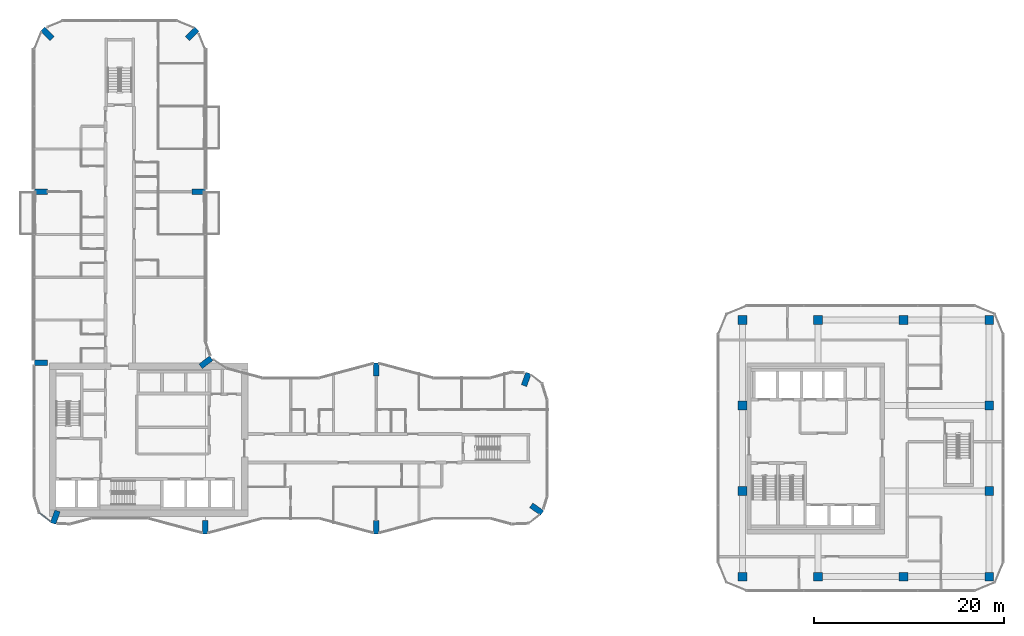
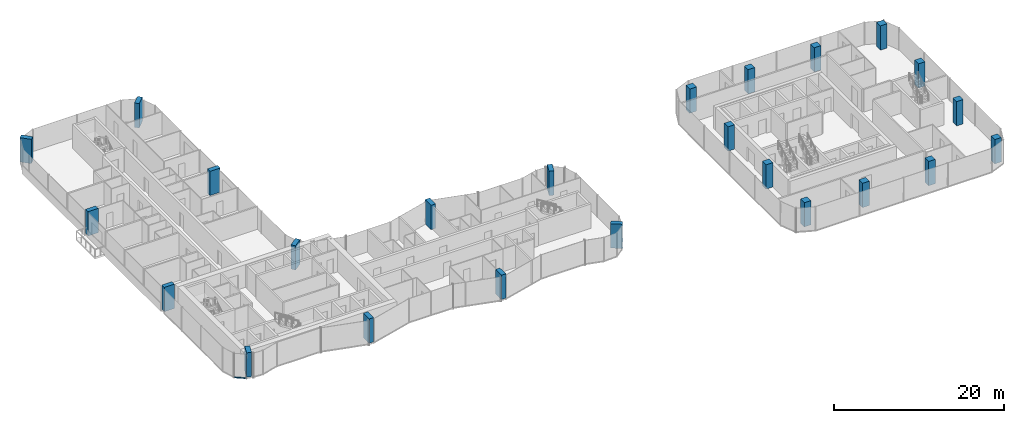
# One storey, part 1 of 22: 24 columns, 1 member, 1 element without a shape of its own.
"""IFC4 building model written with IfcOpenShell, lengths in metres."""

from ifc_helpers import new_model, si_unit, direction, frame, origin, origin_2d, place, context, subcontext, project, spatial, rectangle, extrude, material, layer, layer_set, material_profile, profile_set, type_object, element, aggregate, save


model = new_model("IFC4")

# Units and contexts
model_context = context("Model", 3, precision=1e-05, world=origin(), true_north=direction((0.0, 1.0)))
body_context = subcontext(model_context, "Body", "Model", "MODEL_VIEW")
ifc_project = project(units=[si_unit("LENGTHUNIT", "METRE"), si_unit("AREAUNIT", "SQUARE_METRE"), si_unit("VOLUMEUNIT", "CUBIC_METRE"), si_unit("PLANEANGLEUNIT", "RADIAN"), si_unit("MASSUNIT", "GRAM", prefix="KILO")], contexts=[model_context])

# Site, building, storey
site_placement = place(None, origin())
site = spatial("IfcSite", under=ifc_project, at=site_placement, CompositionType="ELEMENT")
building_placement = place(site_placement, origin())
building = spatial("IfcBuilding", under=site, at=building_placement, Name="Plateau Cross Towers", CompositionType="ELEMENT")
storey_placement = place(building_placement, frame((0.0, 0.0, 65.300048828125)))
storey = spatial("IfcBuildingStorey", under=building, at=storey_placement, Name="L16", CompositionType="ELEMENT", Elevation=65.300048828125)

# Columns
ifc_material_1 = material(Name="Concrete C60/75", Category="concrete")
ifc_material_profile_1 = material_profile(ifc_material_1, rectangle(XDim=0.60009765625, YDim=1.39990234375, at=origin_2d()), Name="RC 600x1400")
ifc_profile_set_1 = profile_set([ifc_material_profile_1], Name="Concrete C60/75")
column_type_1 = type_object("IfcColumnType", Name="Fin pier column RC 600x1400", PredefinedType="COLUMN", material=ifc_profile_set_1)
for number, where, z_axis, x_axis, name in (
    (1, (18.0, 0.699951171875, 0.0), (0.0, 0.0, 1.0), (1.0, 0.0, 0.0), "PR1 L16"),
    (2, (36.0, 0.699951171875, 0.0), (0.0, 0.0, 1.0), (1.0, 0.0, 0.0), "PR2 L16"),
    (3, (52.884033203125, 2.590087890625, 0.0), (0.0, 0.0, 1.0), (0.573542637991, 0.819175709117, 0.0), "PR3 L16"),
    (4, (51.786865234375, 16.251953125, 0.0), (0.0, 0.0, 1.0), (-0.939664280925, 0.342097996418, 0.0), "PR4 L16"),
    (5, (36.0, 17.300048828125, 0.0), (0.0, 0.0, 1.0), (1.0, 0.0, 0.0), "PR5 L16"),
    (6, (18.064697265625, 18.049560546875, 0.0), (0.0, 0.0, 1.0), (-0.608810846443, 0.793315418515, 0.0), "PR6 L16"),
    (7, (17.300048828125, 36.0, 0.0), (0.0, 0.0, 1.0), (0.0, 1.0, 0.0), "PR7 L16"),
    (8, (16.62646484375, 52.62646484375, 0.0), (0.0, 0.0, 1.0), (-0.707106781187, 0.707106781187, 0.0), "PR8 L16"),
    (9, (1.37353515625, 52.62646484375, 0.0), (0.0, 0.0, 1.0), (0.707106781187, 0.707106781187, 0.0), "PR9 L16"),
    (10, (0.699951171875, 36.0, 0.0), (0.0, 0.0, 1.0), (0.0, 1.0, 0.0), "PR10 L16"),
    (11, (0.699951171875, 18.0, 0.0), (0.0, 0.0, 1.0), (0.0, 1.0, 0.0), "PR11 L16"),
    (12, (2.213134765625, 1.748046875, 0.0), (0.0, 0.0, 1.0), (-0.939664280925, 0.342097996418, 0.0), "PR12 L16"),
):
    element("IfcColumn", number, at=place(storey_placement, frame(where, z_axis=z_axis, x_axis=x_axis)), inside=storey, type_object=column_type_1, Name=name, PredefinedType="COLUMN", context=body_context, shape_type="SweptSolid", body=[
        extrude(rectangle(XDim=0.60009765625, YDim=1.39990234375, at=origin_2d()), origin(), (0.0, 0.0, 1.0), 3.5),
    ])
ifc_material_profile_2 = material_profile(ifc_material_1, rectangle(XDim=0.89990234375, YDim=0.89990234375, at=origin_2d()), Name="RC 900x900")
ifc_profile_set_2 = profile_set([ifc_material_profile_2], Name="Concrete C60/75")
column_type_2 = type_object("IfcColumnType", Name="Office column RC 900x900", PredefinedType="COLUMN", material=ifc_profile_set_2)
for number, where, z_axis, x_axis, name in (
    (13, (74.550048828125, -4.5, 0.0), (0.0, 0.0, 1.0), (1.0, 0.0, 0.0), "B-C746_-45 L16"),
    (14, (82.5, -4.5, 0.0), (0.0, 0.0, 1.0), (1.0, 0.0, 0.0), "B-C825_-45 L16"),
    (15, (91.5, -4.5, 0.0), (0.0, 0.0, 1.0), (1.0, 0.0, 0.0), "B-C915_-45 L16"),
    (16, (100.5, -4.5, 0.0), (0.0, 0.0, 1.0), (1.0, 0.0, 0.0), "B-C1005_-45 L16"),
    (17, (100.5, 4.5, 0.0), (0.0, 0.0, 1.0), (1.0, 0.0, 0.0), "B-C1005_45 L16"),
    (18, (100.5, 13.5, 0.0), (0.0, 0.0, 1.0), (1.0, 0.0, 0.0), "B-C1005_135 L16"),
    (19, (100.5, 22.5, 0.0), (0.0, 0.0, 1.0), (1.0, 0.0, 0.0), "B-C1005_225 L16"),
    (20, (91.5, 22.5, 0.0), (0.0, 0.0, 1.0), (1.0, 0.0, 0.0), "B-C915_225 L16"),
    (21, (82.5, 22.5, 0.0), (0.0, 0.0, 1.0), (1.0, 0.0, 0.0), "B-C825_225 L16"),
    (22, (74.550048828125, 22.5, 0.0), (0.0, 0.0, 1.0), (1.0, 0.0, 0.0), "B-C746_225 L16"),
    (23, (74.550048828125, 13.5, 0.0), (0.0, 0.0, 1.0), (1.0, 0.0, 0.0), "B-C746_135 L16"),
    (24, (74.550048828125, 4.5, 0.0), (0.0, 0.0, 1.0), (1.0, 0.0, 0.0), "B-C746_45 L16"),
):
    element("IfcColumn", number, at=place(storey_placement, frame(where, z_axis=z_axis, x_axis=x_axis)), inside=storey, type_object=column_type_2, Name=name, PredefinedType="COLUMN", context=body_context, shape_type="SweptSolid", body=[
        extrude(rectangle(XDim=0.89990234375, YDim=0.89990234375, at=origin_2d()), origin(), (0.0, 0.0, 1.0), 3.5),
    ])

# Curtain wall, member
ifc_material_2 = material(Name="Dark low-iron glass", Category="glass")
ifc_layer = layer(ifc_material_2, 0.239990234375)
ifc_layer_set = layer_set([ifc_layer], Name="Dark low-iron glass")
curtain_wall_type = type_object("IfcCurtainWallType", Name="Curtain wall flush unitised CW-B", PredefinedType="NOTDEFINED", material=ifc_layer_set)
curtain_wall_placement = place(storey_placement, origin())
curtain_wall = element("IfcCurtainWall", 25, at=curtain_wall_placement, inside=storey, type_object=curtain_wall_type, Name="ENV/A/L16/A5_22", PredefinedType="NOTDEFINED")
ifc_material_3 = material(Name="Black anodised aluminium", Category="aluminium")
ifc_material_profile_3 = material_profile(ifc_material_3, rectangle(XDim=0.10009765625, YDim=0.1201171875, at=origin_2d()), Name="TRANSOM 100x120")
ifc_profile_set_3 = profile_set([ifc_material_profile_3], Name="Black anodised aluminium")
member_type = type_object("IfcMemberType", Name="Transom 100x120 flush unitised", PredefinedType="USERDEFINED", material=ifc_profile_set_3)
member_placement = place(storey_placement, frame((0.54248046875, 2.1884765625, -0.18994140625), z_axis=(0.793320508571, -0.608804213751, 0.0), x_axis=(0.608804213751, 0.793320508571, 0.0)))
member = element("IfcMember", 26, at=member_placement, type_object=member_type, Name="CW-B transom", ObjectType="TRANSOM", PredefinedType="USERDEFINED", context=body_context, shape_type="SweptSolid", body=[
    extrude(rectangle(XDim=0.10009765625, YDim=0.1201171875, at=origin_2d()), origin(), (0.0, 0.0, 1.0), 1.471435546875),
])
aggregate(curtain_wall, [member])

save(model, "model.ifc")
